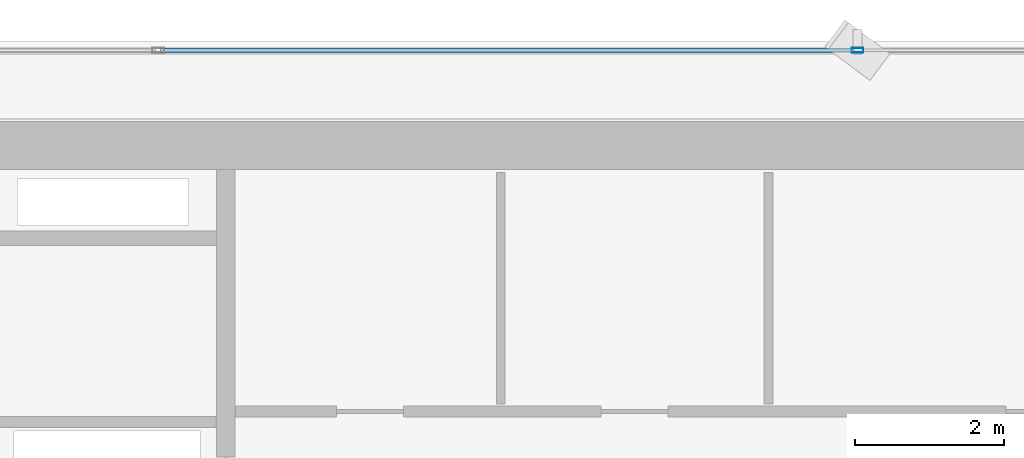
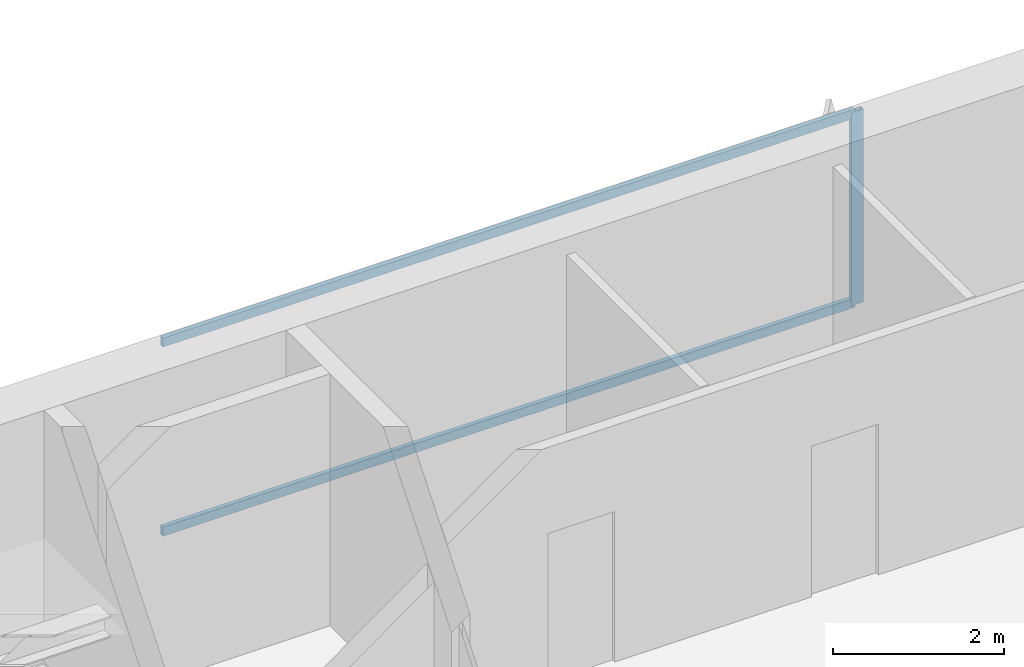
# One storey, part 16 of 28: 3 members, 1 element without a shape of its own.
"""IFC4 building model written with IfcOpenShell, lengths in metres."""

from ifc_helpers import new_model, si_unit, direction, frame, origin, origin_2d, place, context, subcontext, project, spatial, hollow_rectangle, extrude, source, transform, mapped, material, layer, layer_set, material_profile, profile_set, type_object, element, aggregate, save


model = new_model("IFC4")

# Units and contexts
model_context = context("Model", 3, precision=1e-05, world=origin(), true_north=direction((0.0, 1.0)))
body_context = subcontext(model_context, "Body", "Model", "MODEL_VIEW")
ifc_project = project(units=[si_unit("LENGTHUNIT", "METRE"), si_unit("AREAUNIT", "SQUARE_METRE"), si_unit("VOLUMEUNIT", "CUBIC_METRE"), si_unit("PLANEANGLEUNIT", "RADIAN"), si_unit("MASSUNIT", "GRAM", prefix="KILO")], contexts=[model_context])

# Site, building, storey
site_placement = place(None, origin())
site = spatial("IfcSite", under=ifc_project, at=site_placement, CompositionType="ELEMENT")
building_placement = place(site_placement, origin())
building = spatial("IfcBuilding", under=site, at=building_placement, Name="Sumidabori Civic Tower", CompositionType="ELEMENT")
storey_placement = place(building_placement, frame((0.0, 0.0, 149.60009765625)))
storey = spatial("IfcBuildingStorey", under=building, at=storey_placement, Name="L38", CompositionType="ELEMENT", Elevation=149.60009765625)

# Curtain wall, members
ifc_material = material(Name="Anodised Bronze Aluminium AW-6063-T6", Category="aluminium")
ifc_layer = layer(ifc_material, 0.179931640625, Name="Anodised Bronze Aluminium AW-6063-T6")
ifc_layer_set = layer_set([ifc_layer], Name="Anodised Bronze Aluminium AW-6063-T6")
curtain_wall_type = type_object("IfcCurtainWallType", Name="CW-SYS-3", PredefinedType="NOTDEFINED", material=ifc_layer_set)
curtain_wall_placement = place(storey_placement, origin())
curtain_wall = element("IfcCurtainWall", 1, at=curtain_wall_placement, inside=storey, type_object=curtain_wall_type, Name="Curtain Wall CW:L38:R07", PredefinedType="NOTDEFINED")
ifc_material_profile_1 = material_profile(ifc_material, hollow_rectangle(XDim=0.06494140625, YDim=0.159912109375, WallThickness=0.0048828125, at=origin_2d()), Name="ALU MULLION 160x65")
ifc_profile_set_1 = profile_set([ifc_material_profile_1], Name="Anodised Bronze Aluminium AW-6063-T6")
member_type_1 = type_object("IfcMemberType", Name="CW-MUL-160", PredefinedType="MULLION", material=ifc_profile_set_1)
shared_shape_1 = source(origin(), body_context, "Body", "SweptSolid", [
    extrude(hollow_rectangle(XDim=0.06494140625, YDim=0.159912109375, WallThickness=0.0048828125, at=origin_2d()), origin(), (0.0, 0.0, 1.0), 2.760009765625),
])
member_1_placement = place(storey_placement, frame((0.0, 25.080078125, 0.0), z_axis=(0.0, 0.0, 1.0), x_axis=(0.0, -1.0, 0.0)))
member_1 = element("IfcMember", 2, at=member_1_placement, type_object=member_type_1, Name="CW-3 mullion 3", PredefinedType="MULLION", context=body_context, shape_type="MappedRepresentation", body=[
    mapped(shared_shape_1, transform((0.0, 0.0, 0.0), x_axis=(1.0, 0.0, 0.0), y_axis=(0.0, 1.0, 0.0), z_axis=(0.0, 0.0, 1.0), scale=1.0)),
])
ifc_material_profile_2 = material_profile(ifc_material, hollow_rectangle(XDim=0.06005859375, YDim=0.1298828125, WallThickness=0.0048828125, at=origin_2d()), Name="ALU TRANSOM 130x60")
ifc_profile_set_2 = profile_set([ifc_material_profile_2], Name="Anodised Bronze Aluminium AW-6063-T6")
member_type_2 = type_object("IfcMemberType", Name="CW-TRN-130", PredefinedType="USERDEFINED", material=ifc_profile_set_2)
shared_shape_2 = source(origin(), body_context, "Body", "SweptSolid", [
    extrude(hollow_rectangle(XDim=0.06005859375, YDim=0.1298828125, WallThickness=0.0048828125, at=origin_2d()), origin(), (0.0, 0.0, 1.0), 9.344970703125),
])
member_2_placement = place(storey_placement, frame((-0.032470703125, 25.080078125, 0.02978515625), z_axis=(-1.0, 0.0, 0.0), x_axis=(0.0, -1.0, 0.0)))
member_2 = element("IfcMember", 3, at=member_2_placement, type_object=member_type_2, Name="CW-3 transom 3.1", ObjectType="TRANSOM", PredefinedType="USERDEFINED", context=body_context, shape_type="MappedRepresentation", body=[
    mapped(shared_shape_2, transform((0.0, 0.0, 0.0), x_axis=(1.0, 0.0, 0.0), y_axis=(0.0, 1.0, 0.0), z_axis=(0.0, 0.0, 1.0), scale=1.0)),
])
member_3_placement = place(storey_placement, frame((-0.032470703125, 25.080078125, 2.72998046875), z_axis=(-1.0, 0.0, 0.0), x_axis=(0.0, -1.0, 0.0)))
member_3 = element("IfcMember", 4, at=member_3_placement, type_object=member_type_2, Name="CW-3 transom 3.2", ObjectType="TRANSOM", PredefinedType="USERDEFINED", context=body_context, shape_type="MappedRepresentation", body=[
    mapped(shared_shape_2, transform((0.0, 0.0, 0.0), x_axis=(1.0, 0.0, 0.0), y_axis=(0.0, 1.0, 0.0), z_axis=(0.0, 0.0, 1.0), scale=1.0)),
])
aggregate(curtain_wall, [member_1, member_2, member_3])

save(model, "model.ifc")
